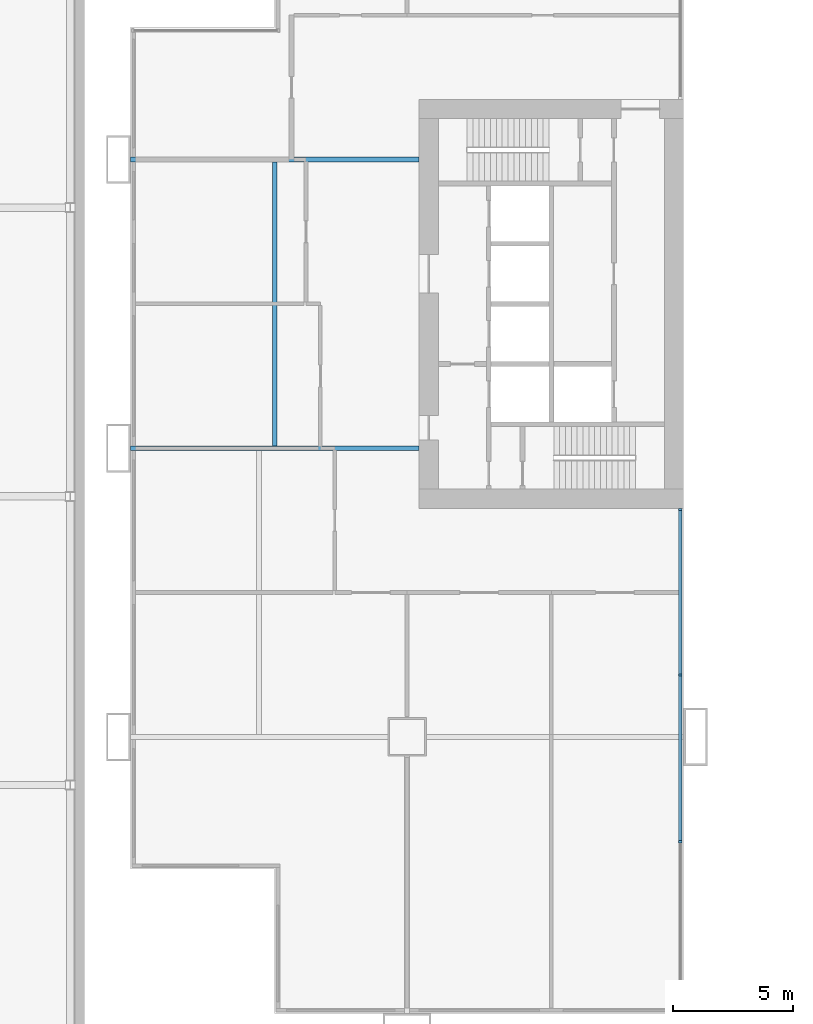
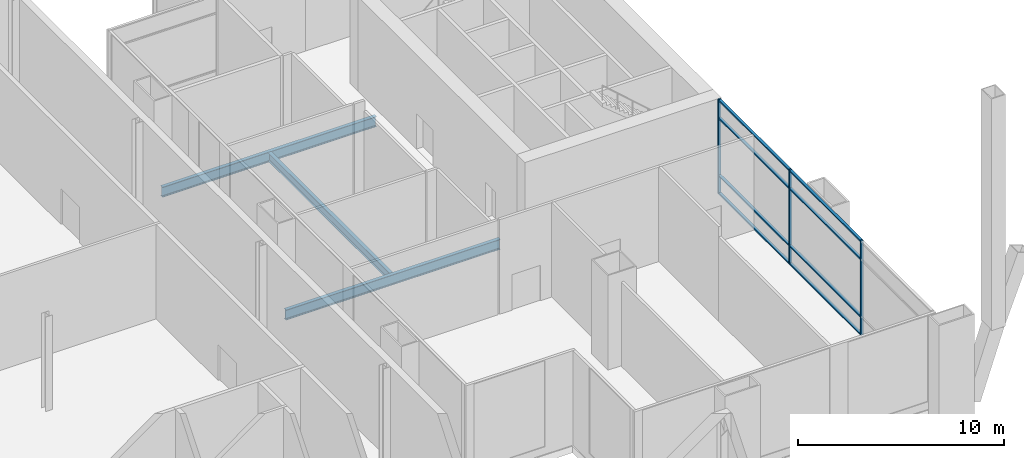
# One storey, part 12 of 30: 11 members, 3 beams, 1 element without a shape of its own.
"""IFC4 building model written with IfcOpenShell, lengths in metres."""

from ifc_helpers import new_model, si_unit, direction, frame, origin, origin_2d, place, context, subcontext, project, spatial, rectangle, i_section, extrude, material, material_profile, profile_set, type_object, element, aggregate, save


model = new_model("IFC4")

# Units and contexts
model_context = context("Model", 3, precision=1e-05, world=origin(), true_north=direction((0.0, 1.0)))
body_context = subcontext(model_context, "Body", "Model", "MODEL_VIEW")
ifc_project = project(units=[si_unit("LENGTHUNIT", "METRE"), si_unit("AREAUNIT", "SQUARE_METRE"), si_unit("VOLUMEUNIT", "CUBIC_METRE"), si_unit("PLANEANGLEUNIT", "RADIAN"), si_unit("MASSUNIT", "GRAM", prefix="KILO")], contexts=[model_context])

# Site, building, storey
site_placement = place(None, origin())
site = spatial("IfcSite", under=ifc_project, at=site_placement, CompositionType="ELEMENT")
building_placement = place(site_placement, origin())
building = spatial("IfcBuilding", under=site, at=building_placement, Name="Kitamizu Gate Tower and Museum", CompositionType="ELEMENT")
storey_placement = place(building_placement, frame((0.0, 0.0, 6.0)))
storey = spatial("IfcBuildingStorey", under=building, at=storey_placement, Name="L01", CompositionType="ELEMENT", Elevation=6.0)

# Beams
ifc_material_1 = material(Name="Steel SM490A", Category="steel")
ifc_material_profile_1 = material_profile(ifc_material_1, i_section(OverallWidth=0.199951171875, OverallDepth=0.5, WebThickness=0.010009765625, FlangeThickness=0.01611328125, FilletRadius=0.02001953125, at=origin_2d()), Name="H-500x200x10x16")
ifc_profile_set_1 = profile_set([ifc_material_profile_1], Name="Steel SM490A")
beam_type_1 = type_object("IfcBeamType", Name="Floor beam FB1 H 500x200x10x16", PredefinedType="BEAM", material=ifc_profile_set_1)
beam_placement = place(storey_placement, frame((6.5, 24.10009765625, -0.64990234375), z_axis=(0.0, 1.0, 0.0), x_axis=(-1.0, 0.0, 0.0)))
element("IfcBeam", 1, at=beam_placement, inside=storey, type_object=beam_type_1, Name="Floor beam FB1 L01-3", PredefinedType="BEAM", context=body_context, shape_type="SweptSolid", body=[
    extrude(i_section(OverallWidth=0.199951171875, OverallDepth=0.5, WebThickness=0.010009765625, FlangeThickness=0.01611328125, FilletRadius=0.02001953125, at=origin_2d()), origin(), (0.0, 0.0, 1.0), 11.7998046875),
])
ifc_material_2 = material(Name="Steel SM490A", Category="steel")
ifc_material_profile_2 = material_profile(ifc_material_2, i_section(OverallWidth=0.199951171875, OverallDepth=0.60009765625, WebThickness=0.010986328125, FlangeThickness=0.01708984375, FilletRadius=0.02197265625, at=origin_2d()), Name="H-600x200x11x17")
ifc_profile_set_2 = profile_set([ifc_material_profile_2], Name="Steel SM490A")
beam_type_2 = type_object("IfcBeamType", Name="Floor girder FG1 H 600x200x11x17", PredefinedType="BEAM", material=ifc_profile_set_2)
for number, where, z_axis, x_axis, name in (
    (2, (0.5, 24.0, -0.699951171875), (1.0, 0.0, 0.0), (0.0, 1.0, 0.0), "Floor girder FG1 y24 L01"),
    (3, (0.5, 36.0, -0.699951171875), (1.0, 0.0, 0.0), (0.0, 1.0, 0.0), "Floor girder FG1 y36 L01"),
):
    element("IfcBeam", number, at=place(storey_placement, frame(where, z_axis=z_axis, x_axis=x_axis)), inside=storey, type_object=beam_type_2, Name=name, PredefinedType="BEAM", context=body_context, shape_type="SweptSolid", body=[
        extrude(i_section(OverallWidth=0.199951171875, OverallDepth=0.60009765625, WebThickness=0.010986328125, FlangeThickness=0.01708984375, FilletRadius=0.02197265625, at=origin_2d()), origin(), (0.0, 0.0, 1.0), 12.0),
    ])

# Curtain wall, members
ifc_material_3 = material(Name="Bronze anodised aluminium frame, tinted triple glazing", Category="aluminium")
curtain_wall_type = type_object("IfcCurtainWallType", Name="CURTAIN WALL TYPE A PODIUM", PredefinedType="NOTDEFINED", material=ifc_material_3)
curtain_wall_placement = place(storey_placement, origin())
curtain_wall = element("IfcCurtainWall", 4, at=curtain_wall_placement, inside=storey, type_object=curtain_wall_type, Name="Curtain wall CW-A east L01", PredefinedType="NOTDEFINED")
ifc_material_4 = material(Name="Bronze anodised aluminium", Category="aluminium")
ifc_material_profile_3 = material_profile(ifc_material_4, rectangle(XDim=0.090087890625, YDim=0.14990234375, at=origin_2d()), Name="AL 90X150")
ifc_profile_set_3 = profile_set([ifc_material_profile_3], Name="Bronze anodised aluminium")
member_type_1 = type_object("IfcMemberType", Name="MULLION 90 X 150 TYPE A", PredefinedType="MULLION", material=ifc_profile_set_3)
member_1_placement = place(storey_placement, frame((23.364990234375, 7.639892578125, 0.0), z_axis=(0.0, 0.0, 1.0), x_axis=(0.0, 1.0, 0.0)))
member_1 = element("IfcMember", 5, at=member_1_placement, type_object=member_type_1, Name="CW-A mullion 2", PredefinedType="MULLION", context=body_context, shape_type="SweptSolid", body=[
    extrude(rectangle(XDim=0.090087890625, YDim=0.14990234375, at=origin_2d()), origin(), (0.0, 0.0, 1.0), 5.60009765625),
])
member_2_placement = place(storey_placement, frame((23.364990234375, 14.570068359375, 0.0), z_axis=(0.0, 0.0, 1.0), x_axis=(0.0, 1.0, 0.0)))
member_2 = element("IfcMember", 6, at=member_2_placement, type_object=member_type_1, Name="CW-A mullion 3", PredefinedType="MULLION", context=body_context, shape_type="SweptSolid", body=[
    extrude(rectangle(XDim=0.090087890625, YDim=0.14990234375, at=origin_2d()), origin(), (0.0, 0.0, 1.0), 5.60009765625),
])
member_3_placement = place(storey_placement, frame((23.364990234375, 21.455078125, 0.0), z_axis=(0.0, 0.0, 1.0), x_axis=(0.0, 1.0, 0.0)))
member_3 = element("IfcMember", 7, at=member_3_placement, type_object=member_type_1, Name="CW-A mullion 4", PredefinedType="MULLION", context=body_context, shape_type="SweptSolid", body=[
    extrude(rectangle(XDim=0.090087890625, YDim=0.14990234375, at=origin_2d()), origin(), (0.0, 0.0, 1.0), 5.60009765625),
])
ifc_material_5 = material(Name="Bronze anodised aluminium", Category="aluminium")
ifc_material_profile_4 = material_profile(ifc_material_5, rectangle(XDim=0.14990234375, YDim=0.080078125, at=origin_2d()), Name="AL 80X150")
ifc_profile_set_4 = profile_set([ifc_material_profile_4], Name="Bronze anodised aluminium")
member_type_2 = type_object("IfcMemberType", Name="TRANSOM 80 X 150 TYPE A", PredefinedType="USERDEFINED", material=ifc_profile_set_4)
member_4_placement = place(storey_placement, frame((23.364990234375, 7.68505859375, 0.0400390625), z_axis=(0.0, 1.0, 0.0), x_axis=(-1.0, 0.0, 0.0)))
member_4 = element("IfcMember", 8, at=member_4_placement, type_object=member_type_2, Name="CW-A transom 2.1", ObjectType="TRANSOM", PredefinedType="USERDEFINED", context=body_context, shape_type="SweptSolid", body=[
    extrude(rectangle(XDim=0.14990234375, YDim=0.080078125, at=origin_2d()), origin(), (0.0, 0.0, 1.0), 6.83984375),
])
member_5_placement = place(storey_placement, frame((23.364990234375, 7.68505859375, 1.10009765625), z_axis=(0.0, 1.0, 0.0), x_axis=(-1.0, 0.0, 0.0)))
member_5 = element("IfcMember", 9, at=member_5_placement, type_object=member_type_2, Name="CW-A transom 2.2", ObjectType="TRANSOM", PredefinedType="USERDEFINED", context=body_context, shape_type="SweptSolid", body=[
    extrude(rectangle(XDim=0.14990234375, YDim=0.080078125, at=origin_2d()), origin(), (0.0, 0.0, 1.0), 6.83984375),
])
member_6_placement = place(storey_placement, frame((23.364990234375, 7.68505859375, 4.5), z_axis=(0.0, 1.0, 0.0), x_axis=(-1.0, 0.0, 0.0)))
member_6 = element("IfcMember", 10, at=member_6_placement, type_object=member_type_2, Name="CW-A transom 2.3", ObjectType="TRANSOM", PredefinedType="USERDEFINED", context=body_context, shape_type="SweptSolid", body=[
    extrude(rectangle(XDim=0.14990234375, YDim=0.080078125, at=origin_2d()), origin(), (0.0, 0.0, 1.0), 6.83984375),
])
member_7_placement = place(storey_placement, frame((23.364990234375, 7.68505859375, 5.56005859375), z_axis=(0.0, 1.0, 0.0), x_axis=(-1.0, 0.0, 0.0)))
member_7 = element("IfcMember", 11, at=member_7_placement, type_object=member_type_2, Name="CW-A transom 2.4", ObjectType="TRANSOM", PredefinedType="USERDEFINED", context=body_context, shape_type="SweptSolid", body=[
    extrude(rectangle(XDim=0.14990234375, YDim=0.080078125, at=origin_2d()), origin(), (0.0, 0.0, 1.0), 6.83984375),
])
member_8_placement = place(storey_placement, frame((23.364990234375, 14.614990234375, 0.0400390625), z_axis=(0.0, 1.0, 0.0), x_axis=(-1.0, 0.0, 0.0)))
member_8 = element("IfcMember", 12, at=member_8_placement, type_object=member_type_2, Name="CW-A transom 3.1", ObjectType="TRANSOM", PredefinedType="USERDEFINED", context=body_context, shape_type="SweptSolid", body=[
    extrude(rectangle(XDim=0.14990234375, YDim=0.080078125, at=origin_2d()), origin(), (0.0, 0.0, 1.0), 6.794921875),
])
member_9_placement = place(storey_placement, frame((23.364990234375, 14.614990234375, 1.10009765625), z_axis=(0.0, 1.0, 0.0), x_axis=(-1.0, 0.0, 0.0)))
member_9 = element("IfcMember", 13, at=member_9_placement, type_object=member_type_2, Name="CW-A transom 3.2", ObjectType="TRANSOM", PredefinedType="USERDEFINED", context=body_context, shape_type="SweptSolid", body=[
    extrude(rectangle(XDim=0.14990234375, YDim=0.080078125, at=origin_2d()), origin(), (0.0, 0.0, 1.0), 6.794921875),
])
member_10_placement = place(storey_placement, frame((23.364990234375, 14.614990234375, 4.5), z_axis=(0.0, 1.0, 0.0), x_axis=(-1.0, 0.0, 0.0)))
member_10 = element("IfcMember", 14, at=member_10_placement, type_object=member_type_2, Name="CW-A transom 3.3", ObjectType="TRANSOM", PredefinedType="USERDEFINED", context=body_context, shape_type="SweptSolid", body=[
    extrude(rectangle(XDim=0.14990234375, YDim=0.080078125, at=origin_2d()), origin(), (0.0, 0.0, 1.0), 6.794921875),
])
member_11_placement = place(storey_placement, frame((23.364990234375, 14.614990234375, 5.56005859375), z_axis=(0.0, 1.0, 0.0), x_axis=(-1.0, 0.0, 0.0)))
member_11 = element("IfcMember", 15, at=member_11_placement, type_object=member_type_2, Name="CW-A transom 3.4", ObjectType="TRANSOM", PredefinedType="USERDEFINED", context=body_context, shape_type="SweptSolid", body=[
    extrude(rectangle(XDim=0.14990234375, YDim=0.080078125, at=origin_2d()), origin(), (0.0, 0.0, 1.0), 6.794921875),
])
aggregate(curtain_wall, [member_1, member_2, member_3, member_4, member_5, member_6, member_7, member_8, member_9, member_10, member_11])

save(model, "model.ifc")
